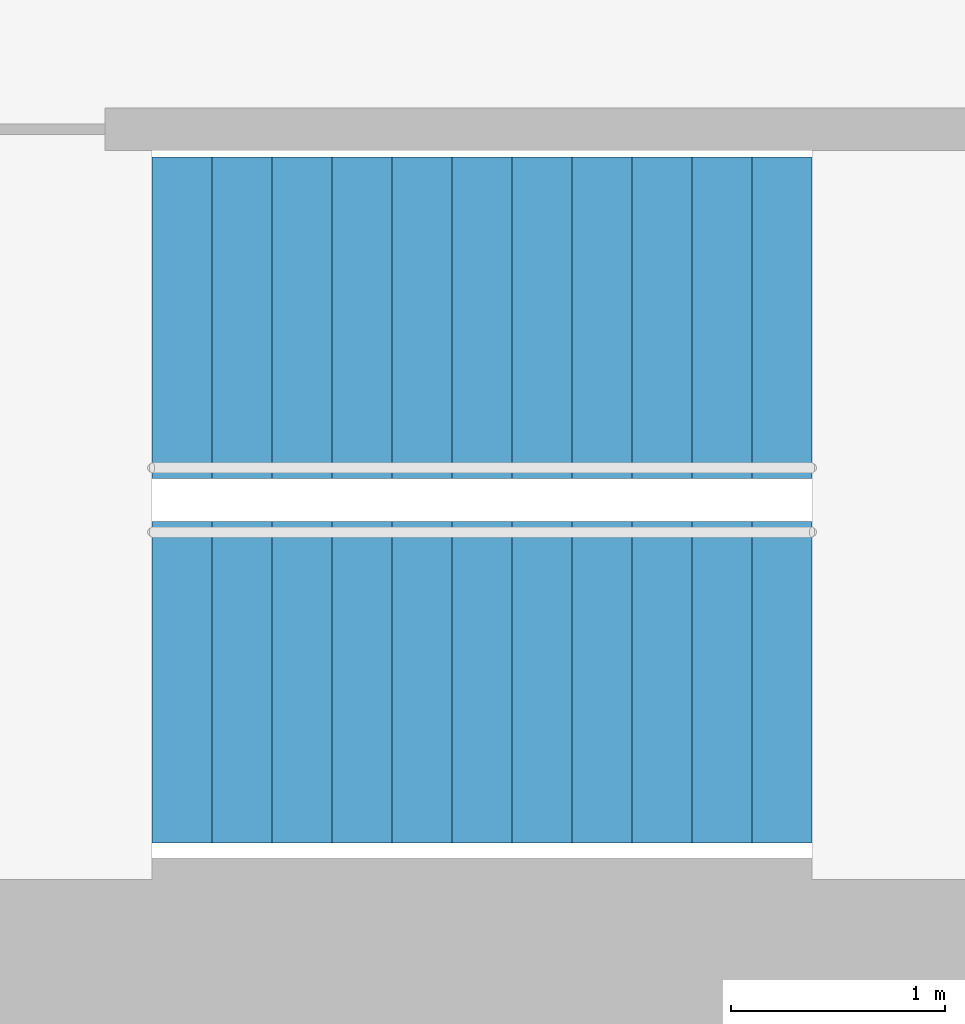
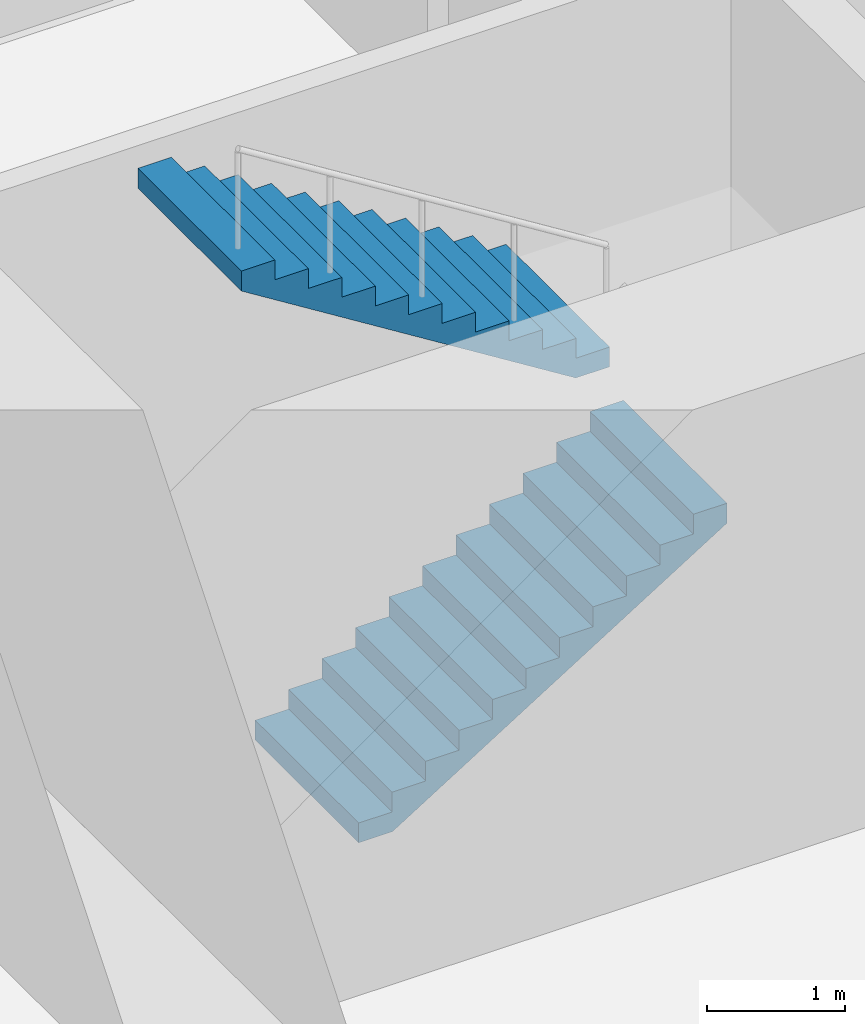
# One storey, part 16 of 18: 2 stair flights, 1 element without a shape of its own.
"""IFC4 building model written with IfcOpenShell, lengths in metres."""

from ifc_helpers import new_model, si_unit, direction, frame, origin, place, context, subcontext, project, spatial, triangles, material, type_object, element, aggregate, save


model = new_model("IFC4")

# Units and contexts
model_context = context("Model", 3, precision=1e-05, world=origin(), true_north=direction((0.0, 1.0)))
body_context = subcontext(model_context, "Body", "Model", "MODEL_VIEW")
ifc_project = project(units=[si_unit("LENGTHUNIT", "METRE"), si_unit("AREAUNIT", "SQUARE_METRE"), si_unit("VOLUMEUNIT", "CUBIC_METRE"), si_unit("PLANEANGLEUNIT", "RADIAN"), si_unit("MASSUNIT", "GRAM", prefix="KILO")], contexts=[model_context])

# Site, building, storey
site_placement = place(None, origin())
site = spatial("IfcSite", under=ifc_project, at=site_placement, CompositionType="ELEMENT")
building_placement = place(site_placement, origin())
building = spatial("IfcBuilding", under=site, at=building_placement, Name="Lantaw Convention Tower", CompositionType="ELEMENT")
storey_placement = place(building_placement, frame((0.0, 0.0, 180.39990234375)))
storey = spatial("IfcBuildingStorey", under=building, at=storey_placement, Name="L42", CompositionType="ELEMENT", Elevation=180.39990234375)

# Stair, stair flights
ifc_material = material(Name="Concrete C35/45", Category="concrete")
stair_type = type_object("IfcStairType", Name="Exit stair 1500 riser 175 in 2 flights", PredefinedType="HALF_TURN_STAIR", material=ifc_material)
stair_placement = place(storey_placement, origin())
stair = element("IfcStair", 1, at=stair_placement, inside=storey, type_object=stair_type, Name="Exit stair S1 L42", PredefinedType="HALF_TURN_STAIR")
stair_flight_type = type_object("IfcStairFlightType", Name="Stair flight 1500 riser 175", PredefinedType="STRAIGHT", material=ifc_material)
stair_flight_1_placement = place(storey_placement, frame((-10.580078125, -5.97998046875, 0.0), z_axis=(0.0, 0.0, 1.0), x_axis=(1.0, 0.0, 0.0)))
stair_flight_1 = element("IfcStairFlight", 2, at=stair_flight_1_placement, type_object=stair_flight_type, Name="S1 flight 1", NumberOfRisers=12, NumberOfTreads=11, PredefinedType="STRAIGHT", RiserHeight=0.175, TreadLength=0.28, context=body_context, shape_type="Tessellation", body=[
    triangles([(0.0, 0.75, 0.0), (0.0, 0.75, 0.175), (0.28, 0.75, 0.0), (0.28, 0.75, 0.175), (0.28, 0.75, 0.35), (0.28283517651771284, 0.75, 0.0), (0.28283517651771284, 0.75, 0.35), (0.56, 0.75, 0.17322801467642948), (0.56, 0.75, 0.35), (0.56, 0.75, 0.5249999999999999), (0.8400000000000001, 0.75, 0.34822801467642944), (0.8400000000000001, 0.75, 0.5249999999999999), (0.8400000000000001, 0.75, 0.7), (1.12, 0.75, 0.5232280146764294), (1.12, 0.75, 0.7), (1.12, 0.75, 0.875), (1.4000000000000001, 0.75, 0.6982280146764295), (1.4000000000000001, 0.75, 0.875), (1.4000000000000001, 0.75, 1.0499999999999998), (1.6800000000000002, 0.75, 0.8732280146764294), (1.6800000000000002, 0.75, 1.0499999999999998), (1.6800000000000002, 0.75, 1.2249999999999999), (1.9600000000000002, 0.75, 1.0482280146764293), (1.9600000000000002, 0.75, 1.2249999999999999), (1.9600000000000002, 0.75, 1.4), (2.24, 0.75, 1.2232280146764294), (2.24, 0.75, 1.4), (2.24, 0.75, 1.575), (2.5200000000000005, 0.75, 1.3982280146764294), (2.5200000000000005, 0.75, 1.575), (2.5200000000000005, 0.75, 1.75), (2.8000000000000003, 0.75, 1.5732280146764293), (2.8000000000000003, 0.75, 1.75), (2.8000000000000003, 0.75, 1.9249999999999998), (3.08, 0.75, 1.7482280146764293), (3.08, 0.75, 1.9249999999999998), (0.0, -0.75, 0.0), (0.0, -0.75, 0.175), (0.28, -0.75, 0.0), (0.28, -0.75, 0.175), (0.28, -0.75, 0.35), (0.28283517651771284, -0.75, 0.0), (0.28283517651771284, -0.75, 0.35), (0.56, -0.75, 0.17322801467642948), (0.56, -0.75, 0.35), (0.56, -0.75, 0.5249999999999999), (0.8400000000000001, -0.75, 0.34822801467642944), (0.8400000000000001, -0.75, 0.5249999999999999), (0.8400000000000001, -0.75, 0.7), (1.12, -0.75, 0.5232280146764294), (1.12, -0.75, 0.7), (1.12, -0.75, 0.875), (1.4000000000000001, -0.75, 0.6982280146764295), (1.4000000000000001, -0.75, 0.875), (1.4000000000000001, -0.75, 1.0499999999999998), (1.6800000000000002, -0.75, 0.8732280146764294), (1.6800000000000002, -0.75, 1.0499999999999998), (1.6800000000000002, -0.75, 1.2249999999999999), (1.9600000000000002, -0.75, 1.0482280146764293), (1.9600000000000002, -0.75, 1.2249999999999999), (1.9600000000000002, -0.75, 1.4), (2.24, -0.75, 1.2232280146764294), (2.24, -0.75, 1.4), (2.24, -0.75, 1.575), (2.5200000000000005, -0.75, 1.3982280146764294), (2.5200000000000005, -0.75, 1.575), (2.5200000000000005, -0.75, 1.75), (2.8000000000000003, -0.75, 1.5732280146764293), (2.8000000000000003, -0.75, 1.75), (2.8000000000000003, -0.75, 1.9249999999999998), (3.08, -0.75, 1.7482280146764293), (3.08, -0.75, 1.9249999999999998), (0.0, 0.15000000000000002, 0.175), (0.0, 0.15000000000000002, 0.0), (0.0, 0.0, 0.175), (0.0, 0.0, 0.0), (0.0, -0.15000000000000002, 0.175), (0.0, -0.15000000000000002, 0.0), (0.28, 0.15000000000000002, 0.35), (0.28, 0.15000000000000002, 0.175), (0.28, 0.0, 0.35), (0.28, 0.0, 0.175), (0.28, -0.15000000000000002, 0.35), (0.28, -0.15000000000000002, 0.175), (0.56, 0.15000000000000002, 0.5249999999999999), (0.56, 0.15000000000000002, 0.35), (0.56, 0.0, 0.5249999999999999), (0.56, 0.0, 0.35), (0.56, -0.15000000000000002, 0.5249999999999999), (0.56, -0.15000000000000002, 0.35), (0.8400000000000001, 0.15000000000000002, 0.7), (0.8400000000000001, 0.15000000000000002, 0.5249999999999999), (0.8400000000000001, 0.0, 0.7), (0.8400000000000001, 0.0, 0.5249999999999999), (0.8400000000000001, -0.15000000000000002, 0.7), (0.8400000000000001, -0.15000000000000002, 0.5249999999999999), (1.12, 0.15000000000000002, 0.875), (1.12, 0.15000000000000002, 0.7), (1.12, 0.0, 0.875), (1.12, 0.0, 0.7), (1.12, -0.15000000000000002, 0.875), (1.12, -0.15000000000000002, 0.7), (1.4000000000000001, 0.15000000000000002, 1.0499999999999998), (1.4000000000000001, 0.15000000000000002, 0.875), (1.4000000000000001, 0.0, 1.0499999999999998), (1.4000000000000001, 0.0, 0.875), (1.4000000000000001, -0.15000000000000002, 1.0499999999999998), (1.4000000000000001, -0.15000000000000002, 0.875), (1.6800000000000002, 0.15000000000000002, 1.2249999999999999), (1.6800000000000002, 0.15000000000000002, 1.0499999999999998), (1.6800000000000002, 0.0, 1.2249999999999999), (1.6800000000000002, 0.0, 1.0499999999999998), (1.6800000000000002, -0.15000000000000002, 1.2249999999999999), (1.6800000000000002, -0.15000000000000002, 1.0499999999999998), (1.9600000000000002, 0.15000000000000002, 1.4), (1.9600000000000002, 0.15000000000000002, 1.2249999999999999), (1.9600000000000002, 0.0, 1.4), (1.9600000000000002, 0.0, 1.2249999999999999), (1.9600000000000002, -0.15000000000000002, 1.4), (1.9600000000000002, -0.15000000000000002, 1.2249999999999999), (2.24, 0.15000000000000002, 1.575), (2.24, 0.15000000000000002, 1.4), (2.24, 0.0, 1.575), (2.24, 0.0, 1.4), (2.24, -0.15000000000000002, 1.575), (2.24, -0.15000000000000002, 1.4), (2.5200000000000005, 0.15000000000000002, 1.75), (2.5200000000000005, 0.15000000000000002, 1.575), (2.5200000000000005, 0.0, 1.75), (2.5200000000000005, 0.0, 1.575), (2.5200000000000005, -0.15000000000000002, 1.75), (2.5200000000000005, -0.15000000000000002, 1.575), (2.8000000000000003, 0.15000000000000002, 1.9249999999999998), (2.8000000000000003, 0.15000000000000002, 1.75), (2.8000000000000003, 0.0, 1.9249999999999998), (2.8000000000000003, 0.0, 1.75), (2.8000000000000003, -0.15000000000000002, 1.9249999999999998), (2.8000000000000003, -0.15000000000000002, 1.75), (0.28283517651771284, 0.15000000000000002, 0.35), (0.28283517651771284, 0.0, 0.35), (0.28283517651771284, -0.15000000000000002, 0.35), (3.08, 0.15000000000000002, 1.9249999999999998), (3.08, 0.0, 1.9249999999999998), (3.08, -0.15000000000000002, 1.9249999999999998), (3.08, 0.15000000000000002, 1.7482280146764293), (3.08, 0.0, 1.7482280146764293), (3.08, -0.15000000000000002, 1.7482280146764293), (2.8000000000000003, 0.15000000000000002, 1.5732280146764293), (2.8000000000000003, 0.0, 1.5732280146764293), (2.8000000000000003, -0.15000000000000002, 1.5732280146764293), (2.5200000000000005, 0.15000000000000002, 1.3982280146764294), (2.5200000000000005, 0.0, 1.3982280146764294), (2.5200000000000005, -0.15000000000000002, 1.3982280146764294), (2.24, 0.15000000000000002, 1.2232280146764294), (2.24, 0.0, 1.2232280146764294), (2.24, -0.15000000000000002, 1.2232280146764294), (1.9600000000000002, 0.15000000000000002, 1.0482280146764293), (1.9600000000000002, 0.0, 1.0482280146764293), (1.9600000000000002, -0.15000000000000002, 1.0482280146764293), (1.6800000000000002, 0.15000000000000002, 0.8732280146764294), (1.6800000000000002, 0.0, 0.8732280146764294), (1.6800000000000002, -0.15000000000000002, 0.8732280146764294), (1.4000000000000001, 0.15000000000000002, 0.6982280146764295), (1.4000000000000001, 0.0, 0.6982280146764295), (1.4000000000000001, -0.15000000000000002, 0.6982280146764295), (1.12, 0.15000000000000002, 0.5232280146764294), (1.12, 0.0, 0.5232280146764294), (1.12, -0.15000000000000002, 0.5232280146764294), (0.8400000000000001, 0.15000000000000002, 0.34822801467642944), (0.8400000000000001, 0.0, 0.34822801467642944), (0.8400000000000001, -0.15000000000000002, 0.34822801467642944), (0.56, 0.15000000000000002, 0.17322801467642948), (0.56, 0.0, 0.17322801467642948), (0.56, -0.15000000000000002, 0.17322801467642948), (0.28283517651771284, 0.15000000000000002, 0.0), (0.28283517651771284, 0.0, 0.0), (0.28283517651771284, -0.15000000000000002, 0.0), (0.28, 0.15000000000000002, 0.0), (0.28, 0.0, 0.0), (0.28, -0.15000000000000002, 0.0)], [[1, 4, 3], [1, 2, 4], [3, 4, 6], [4, 7, 6], [4, 5, 7], [6, 9, 8], [6, 7, 9], [8, 9, 11], [9, 12, 11], [9, 10, 12], [11, 12, 14], [12, 15, 14], [12, 13, 15], [14, 15, 17], [15, 18, 17], [15, 16, 18], [17, 18, 20], [18, 21, 20], [18, 19, 21], [20, 21, 23], [21, 24, 23], [21, 22, 24], [23, 24, 26], [24, 27, 26], [24, 25, 27], [26, 27, 29], [27, 30, 29], [27, 28, 30], [29, 30, 32], [30, 33, 32], [30, 31, 33], [32, 33, 35], [33, 36, 35], [33, 34, 36], [37, 39, 40], [37, 40, 38], [39, 42, 40], [40, 42, 43], [40, 43, 41], [42, 44, 45], [42, 45, 43], [44, 47, 45], [45, 47, 48], [45, 48, 46], [47, 50, 48], [48, 50, 51], [48, 51, 49], [50, 53, 51], [51, 53, 54], [51, 54, 52], [53, 56, 54], [54, 56, 57], [54, 57, 55], [56, 59, 57], [57, 59, 60], [57, 60, 58], [59, 62, 60], [60, 62, 63], [60, 63, 61], [62, 65, 63], [63, 65, 66], [63, 66, 64], [65, 68, 66], [66, 68, 69], [66, 69, 67], [68, 71, 69], [69, 71, 72], [69, 72, 70], [1, 73, 2], [1, 74, 73], [74, 75, 73], [74, 76, 75], [76, 77, 75], [76, 78, 77], [78, 38, 77], [78, 37, 38], [4, 79, 5], [4, 80, 79], [80, 81, 79], [80, 82, 81], [82, 83, 81], [82, 84, 83], [84, 41, 83], [84, 40, 41], [9, 85, 10], [9, 86, 85], [86, 87, 85], [86, 88, 87], [88, 89, 87], [88, 90, 89], [90, 46, 89], [90, 45, 46], [12, 91, 13], [12, 92, 91], [92, 93, 91], [92, 94, 93], [94, 95, 93], [94, 96, 95], [96, 49, 95], [96, 48, 49], [15, 97, 16], [15, 98, 97], [98, 99, 97], [98, 100, 99], [100, 101, 99], [100, 102, 101], [102, 52, 101], [102, 51, 52], [18, 103, 19], [18, 104, 103], [104, 105, 103], [104, 106, 105], [106, 107, 105], [106, 108, 107], [108, 55, 107], [108, 54, 55], [21, 109, 22], [21, 110, 109], [110, 111, 109], [110, 112, 111], [112, 113, 111], [112, 114, 113], [114, 58, 113], [114, 57, 58], [24, 115, 25], [24, 116, 115], [116, 117, 115], [116, 118, 117], [118, 119, 117], [118, 120, 119], [120, 61, 119], [120, 60, 61], [27, 121, 28], [27, 122, 121], [122, 123, 121], [122, 124, 123], [124, 125, 123], [124, 126, 125], [126, 64, 125], [126, 63, 64], [30, 127, 31], [30, 128, 127], [128, 129, 127], [128, 130, 129], [130, 131, 129], [130, 132, 131], [132, 67, 131], [132, 66, 67], [33, 133, 34], [33, 134, 133], [134, 135, 133], [134, 136, 135], [136, 137, 135], [136, 138, 137], [138, 70, 137], [138, 69, 70], [2, 80, 4], [2, 73, 80], [73, 82, 80], [73, 75, 82], [75, 84, 82], [75, 77, 84], [77, 40, 84], [77, 38, 40], [5, 139, 7], [5, 79, 139], [79, 140, 139], [79, 81, 140], [81, 141, 140], [81, 83, 141], [83, 43, 141], [83, 41, 43], [7, 86, 9], [7, 139, 86], [139, 88, 86], [139, 140, 88], [140, 90, 88], [140, 141, 90], [141, 45, 90], [141, 43, 45], [10, 92, 12], [10, 85, 92], [85, 94, 92], [85, 87, 94], [87, 96, 94], [87, 89, 96], [89, 48, 96], [89, 46, 48], [13, 98, 15], [13, 91, 98], [91, 100, 98], [91, 93, 100], [93, 102, 100], [93, 95, 102], [95, 51, 102], [95, 49, 51], [16, 104, 18], [16, 97, 104], [97, 106, 104], [97, 99, 106], [99, 108, 106], [99, 101, 108], [101, 54, 108], [101, 52, 54], [19, 110, 21], [19, 103, 110], [103, 112, 110], [103, 105, 112], [105, 114, 112], [105, 107, 114], [107, 57, 114], [107, 55, 57], [22, 116, 24], [22, 109, 116], [109, 118, 116], [109, 111, 118], [111, 120, 118], [111, 113, 120], [113, 60, 120], [113, 58, 60], [25, 122, 27], [25, 115, 122], [115, 124, 122], [115, 117, 124], [117, 126, 124], [117, 119, 126], [119, 63, 126], [119, 61, 63], [28, 128, 30], [28, 121, 128], [121, 130, 128], [121, 123, 130], [123, 132, 130], [123, 125, 132], [125, 66, 132], [125, 64, 66], [31, 134, 33], [31, 127, 134], [127, 136, 134], [127, 129, 136], [129, 138, 136], [129, 131, 138], [131, 69, 138], [131, 67, 69], [34, 142, 36], [34, 133, 142], [133, 143, 142], [133, 135, 143], [135, 144, 143], [135, 137, 144], [137, 72, 144], [137, 70, 72], [36, 145, 35], [36, 142, 145], [142, 146, 145], [142, 143, 146], [143, 147, 146], [143, 144, 147], [144, 71, 147], [144, 72, 71], [35, 148, 32], [35, 145, 148], [145, 149, 148], [145, 146, 149], [146, 150, 149], [146, 147, 150], [147, 68, 150], [147, 71, 68], [32, 151, 29], [32, 148, 151], [148, 152, 151], [148, 149, 152], [149, 153, 152], [149, 150, 153], [150, 65, 153], [150, 68, 65], [29, 154, 26], [29, 151, 154], [151, 155, 154], [151, 152, 155], [152, 156, 155], [152, 153, 156], [153, 62, 156], [153, 65, 62], [26, 157, 23], [26, 154, 157], [154, 158, 157], [154, 155, 158], [155, 159, 158], [155, 156, 159], [156, 59, 159], [156, 62, 59], [23, 160, 20], [23, 157, 160], [157, 161, 160], [157, 158, 161], [158, 162, 161], [158, 159, 162], [159, 56, 162], [159, 59, 56], [20, 163, 17], [20, 160, 163], [160, 164, 163], [160, 161, 164], [161, 165, 164], [161, 162, 165], [162, 53, 165], [162, 56, 53], [17, 166, 14], [17, 163, 166], [163, 167, 166], [163, 164, 167], [164, 168, 167], [164, 165, 168], [165, 50, 168], [165, 53, 50], [14, 169, 11], [14, 166, 169], [166, 170, 169], [166, 167, 170], [167, 171, 170], [167, 168, 171], [168, 47, 171], [168, 50, 47], [11, 172, 8], [11, 169, 172], [169, 173, 172], [169, 170, 173], [170, 174, 173], [170, 171, 174], [171, 44, 174], [171, 47, 44], [8, 175, 6], [8, 172, 175], [172, 176, 175], [172, 173, 176], [173, 177, 176], [173, 174, 177], [174, 42, 177], [174, 44, 42], [6, 178, 3], [6, 175, 178], [175, 179, 178], [175, 176, 179], [176, 180, 179], [176, 177, 180], [177, 39, 180], [177, 42, 39], [3, 74, 1], [3, 178, 74], [178, 76, 74], [178, 179, 76], [179, 78, 76], [179, 180, 78], [180, 37, 78], [180, 39, 37]], closed=True),
])
stair_flight_2_placement = place(storey_placement, frame((-7.5, -4.280029296875, 2.10009765625), z_axis=(0.0, 0.0, 1.0), x_axis=(-1.0, 0.0, 0.0)))
stair_flight_2 = element("IfcStairFlight", 3, at=stair_flight_2_placement, type_object=stair_flight_type, Name="S1 flight 2", NumberOfRisers=12, NumberOfTreads=11, PredefinedType="STRAIGHT", RiserHeight=0.175, TreadLength=0.28, context=body_context, shape_type="Tessellation", body=[
    triangles([(0.0, 0.75, 0.0), (0.0, 0.75, 0.175), (0.28, 0.75, 0.0), (0.28, 0.75, 0.175), (0.28, 0.75, 0.35), (0.28283517651771284, 0.75, 0.0), (0.28283517651771284, 0.75, 0.35), (0.56, 0.75, 0.17322801467642948), (0.56, 0.75, 0.35), (0.56, 0.75, 0.5249999999999999), (0.8400000000000001, 0.75, 0.34822801467642944), (0.8400000000000001, 0.75, 0.5249999999999999), (0.8400000000000001, 0.75, 0.7), (1.12, 0.75, 0.5232280146764294), (1.12, 0.75, 0.7), (1.12, 0.75, 0.875), (1.4000000000000001, 0.75, 0.6982280146764295), (1.4000000000000001, 0.75, 0.875), (1.4000000000000001, 0.75, 1.0499999999999998), (1.6800000000000002, 0.75, 0.8732280146764294), (1.6800000000000002, 0.75, 1.0499999999999998), (1.6800000000000002, 0.75, 1.2249999999999999), (1.9600000000000002, 0.75, 1.0482280146764293), (1.9600000000000002, 0.75, 1.2249999999999999), (1.9600000000000002, 0.75, 1.4), (2.24, 0.75, 1.2232280146764294), (2.24, 0.75, 1.4), (2.24, 0.75, 1.575), (2.5200000000000005, 0.75, 1.3982280146764294), (2.5200000000000005, 0.75, 1.575), (2.5200000000000005, 0.75, 1.75), (2.8000000000000003, 0.75, 1.5732280146764293), (2.8000000000000003, 0.75, 1.75), (2.8000000000000003, 0.75, 1.9249999999999998), (3.08, 0.75, 1.7482280146764293), (3.08, 0.75, 1.9249999999999998), (0.0, -0.75, 0.0), (0.0, -0.75, 0.175), (0.28, -0.75, 0.0), (0.28, -0.75, 0.175), (0.28, -0.75, 0.35), (0.28283517651771284, -0.75, 0.0), (0.28283517651771284, -0.75, 0.35), (0.56, -0.75, 0.17322801467642948), (0.56, -0.75, 0.35), (0.56, -0.75, 0.5249999999999999), (0.8400000000000001, -0.75, 0.34822801467642944), (0.8400000000000001, -0.75, 0.5249999999999999), (0.8400000000000001, -0.75, 0.7), (1.12, -0.75, 0.5232280146764294), (1.12, -0.75, 0.7), (1.12, -0.75, 0.875), (1.4000000000000001, -0.75, 0.6982280146764295), (1.4000000000000001, -0.75, 0.875), (1.4000000000000001, -0.75, 1.0499999999999998), (1.6800000000000002, -0.75, 0.8732280146764294), (1.6800000000000002, -0.75, 1.0499999999999998), (1.6800000000000002, -0.75, 1.2249999999999999), (1.9600000000000002, -0.75, 1.0482280146764293), (1.9600000000000002, -0.75, 1.2249999999999999), (1.9600000000000002, -0.75, 1.4), (2.24, -0.75, 1.2232280146764294), (2.24, -0.75, 1.4), (2.24, -0.75, 1.575), (2.5200000000000005, -0.75, 1.3982280146764294), (2.5200000000000005, -0.75, 1.575), (2.5200000000000005, -0.75, 1.75), (2.8000000000000003, -0.75, 1.5732280146764293), (2.8000000000000003, -0.75, 1.75), (2.8000000000000003, -0.75, 1.9249999999999998), (3.08, -0.75, 1.7482280146764293), (3.08, -0.75, 1.9249999999999998), (0.0, 0.15000000000000002, 0.175), (0.0, 0.15000000000000002, 0.0), (0.0, 0.0, 0.175), (0.0, 0.0, 0.0), (0.0, -0.15000000000000002, 0.175), (0.0, -0.15000000000000002, 0.0), (0.28, 0.15000000000000002, 0.35), (0.28, 0.15000000000000002, 0.175), (0.28, 0.0, 0.35), (0.28, 0.0, 0.175), (0.28, -0.15000000000000002, 0.35), (0.28, -0.15000000000000002, 0.175), (0.56, 0.15000000000000002, 0.5249999999999999), (0.56, 0.15000000000000002, 0.35), (0.56, 0.0, 0.5249999999999999), (0.56, 0.0, 0.35), (0.56, -0.15000000000000002, 0.5249999999999999), (0.56, -0.15000000000000002, 0.35), (0.8400000000000001, 0.15000000000000002, 0.7), (0.8400000000000001, 0.15000000000000002, 0.5249999999999999), (0.8400000000000001, 0.0, 0.7), (0.8400000000000001, 0.0, 0.5249999999999999), (0.8400000000000001, -0.15000000000000002, 0.7), (0.8400000000000001, -0.15000000000000002, 0.5249999999999999), (1.12, 0.15000000000000002, 0.875), (1.12, 0.15000000000000002, 0.7), (1.12, 0.0, 0.875), (1.12, 0.0, 0.7), (1.12, -0.15000000000000002, 0.875), (1.12, -0.15000000000000002, 0.7), (1.4000000000000001, 0.15000000000000002, 1.0499999999999998), (1.4000000000000001, 0.15000000000000002, 0.875), (1.4000000000000001, 0.0, 1.0499999999999998), (1.4000000000000001, 0.0, 0.875), (1.4000000000000001, -0.15000000000000002, 1.0499999999999998), (1.4000000000000001, -0.15000000000000002, 0.875), (1.6800000000000002, 0.15000000000000002, 1.2249999999999999), (1.6800000000000002, 0.15000000000000002, 1.0499999999999998), (1.6800000000000002, 0.0, 1.2249999999999999), (1.6800000000000002, 0.0, 1.0499999999999998), (1.6800000000000002, -0.15000000000000002, 1.2249999999999999), (1.6800000000000002, -0.15000000000000002, 1.0499999999999998), (1.9600000000000002, 0.15000000000000002, 1.4), (1.9600000000000002, 0.15000000000000002, 1.2249999999999999), (1.9600000000000002, 0.0, 1.4), (1.9600000000000002, 0.0, 1.2249999999999999), (1.9600000000000002, -0.15000000000000002, 1.4), (1.9600000000000002, -0.15000000000000002, 1.2249999999999999), (2.24, 0.15000000000000002, 1.575), (2.24, 0.15000000000000002, 1.4), (2.24, 0.0, 1.575), (2.24, 0.0, 1.4), (2.24, -0.15000000000000002, 1.575), (2.24, -0.15000000000000002, 1.4), (2.5200000000000005, 0.15000000000000002, 1.75), (2.5200000000000005, 0.15000000000000002, 1.575), (2.5200000000000005, 0.0, 1.75), (2.5200000000000005, 0.0, 1.575), (2.5200000000000005, -0.15000000000000002, 1.75), (2.5200000000000005, -0.15000000000000002, 1.575), (2.8000000000000003, 0.15000000000000002, 1.9249999999999998), (2.8000000000000003, 0.15000000000000002, 1.75), (2.8000000000000003, 0.0, 1.9249999999999998), (2.8000000000000003, 0.0, 1.75), (2.8000000000000003, -0.15000000000000002, 1.9249999999999998), (2.8000000000000003, -0.15000000000000002, 1.75), (0.28283517651771284, 0.15000000000000002, 0.35), (0.28283517651771284, 0.0, 0.35), (0.28283517651771284, -0.15000000000000002, 0.35), (3.08, 0.15000000000000002, 1.9249999999999998), (3.08, 0.0, 1.9249999999999998), (3.08, -0.15000000000000002, 1.9249999999999998), (3.08, 0.15000000000000002, 1.7482280146764293), (3.08, 0.0, 1.7482280146764293), (3.08, -0.15000000000000002, 1.7482280146764293), (2.8000000000000003, 0.15000000000000002, 1.5732280146764293), (2.8000000000000003, 0.0, 1.5732280146764293), (2.8000000000000003, -0.15000000000000002, 1.5732280146764293), (2.5200000000000005, 0.15000000000000002, 1.3982280146764294), (2.5200000000000005, 0.0, 1.3982280146764294), (2.5200000000000005, -0.15000000000000002, 1.3982280146764294), (2.24, 0.15000000000000002, 1.2232280146764294), (2.24, 0.0, 1.2232280146764294), (2.24, -0.15000000000000002, 1.2232280146764294), (1.9600000000000002, 0.15000000000000002, 1.0482280146764293), (1.9600000000000002, 0.0, 1.0482280146764293), (1.9600000000000002, -0.15000000000000002, 1.0482280146764293), (1.6800000000000002, 0.15000000000000002, 0.8732280146764294), (1.6800000000000002, 0.0, 0.8732280146764294), (1.6800000000000002, -0.15000000000000002, 0.8732280146764294), (1.4000000000000001, 0.15000000000000002, 0.6982280146764295), (1.4000000000000001, 0.0, 0.6982280146764295), (1.4000000000000001, -0.15000000000000002, 0.6982280146764295), (1.12, 0.15000000000000002, 0.5232280146764294), (1.12, 0.0, 0.5232280146764294), (1.12, -0.15000000000000002, 0.5232280146764294), (0.8400000000000001, 0.15000000000000002, 0.34822801467642944), (0.8400000000000001, 0.0, 0.34822801467642944), (0.8400000000000001, -0.15000000000000002, 0.34822801467642944), (0.56, 0.15000000000000002, 0.17322801467642948), (0.56, 0.0, 0.17322801467642948), (0.56, -0.15000000000000002, 0.17322801467642948), (0.28283517651771284, 0.15000000000000002, 0.0), (0.28283517651771284, 0.0, 0.0), (0.28283517651771284, -0.15000000000000002, 0.0), (0.28, 0.15000000000000002, 0.0), (0.28, 0.0, 0.0), (0.28, -0.15000000000000002, 0.0)], [[1, 4, 3], [1, 2, 4], [3, 4, 6], [4, 7, 6], [4, 5, 7], [6, 9, 8], [6, 7, 9], [8, 9, 11], [9, 12, 11], [9, 10, 12], [11, 12, 14], [12, 15, 14], [12, 13, 15], [14, 15, 17], [15, 18, 17], [15, 16, 18], [17, 18, 20], [18, 21, 20], [18, 19, 21], [20, 21, 23], [21, 24, 23], [21, 22, 24], [23, 24, 26], [24, 27, 26], [24, 25, 27], [26, 27, 29], [27, 30, 29], [27, 28, 30], [29, 30, 32], [30, 33, 32], [30, 31, 33], [32, 33, 35], [33, 36, 35], [33, 34, 36], [37, 39, 40], [37, 40, 38], [39, 42, 40], [40, 42, 43], [40, 43, 41], [42, 44, 45], [42, 45, 43], [44, 47, 45], [45, 47, 48], [45, 48, 46], [47, 50, 48], [48, 50, 51], [48, 51, 49], [50, 53, 51], [51, 53, 54], [51, 54, 52], [53, 56, 54], [54, 56, 57], [54, 57, 55], [56, 59, 57], [57, 59, 60], [57, 60, 58], [59, 62, 60], [60, 62, 63], [60, 63, 61], [62, 65, 63], [63, 65, 66], [63, 66, 64], [65, 68, 66], [66, 68, 69], [66, 69, 67], [68, 71, 69], [69, 71, 72], [69, 72, 70], [1, 73, 2], [1, 74, 73], [74, 75, 73], [74, 76, 75], [76, 77, 75], [76, 78, 77], [78, 38, 77], [78, 37, 38], [4, 79, 5], [4, 80, 79], [80, 81, 79], [80, 82, 81], [82, 83, 81], [82, 84, 83], [84, 41, 83], [84, 40, 41], [9, 85, 10], [9, 86, 85], [86, 87, 85], [86, 88, 87], [88, 89, 87], [88, 90, 89], [90, 46, 89], [90, 45, 46], [12, 91, 13], [12, 92, 91], [92, 93, 91], [92, 94, 93], [94, 95, 93], [94, 96, 95], [96, 49, 95], [96, 48, 49], [15, 97, 16], [15, 98, 97], [98, 99, 97], [98, 100, 99], [100, 101, 99], [100, 102, 101], [102, 52, 101], [102, 51, 52], [18, 103, 19], [18, 104, 103], [104, 105, 103], [104, 106, 105], [106, 107, 105], [106, 108, 107], [108, 55, 107], [108, 54, 55], [21, 109, 22], [21, 110, 109], [110, 111, 109], [110, 112, 111], [112, 113, 111], [112, 114, 113], [114, 58, 113], [114, 57, 58], [24, 115, 25], [24, 116, 115], [116, 117, 115], [116, 118, 117], [118, 119, 117], [118, 120, 119], [120, 61, 119], [120, 60, 61], [27, 121, 28], [27, 122, 121], [122, 123, 121], [122, 124, 123], [124, 125, 123], [124, 126, 125], [126, 64, 125], [126, 63, 64], [30, 127, 31], [30, 128, 127], [128, 129, 127], [128, 130, 129], [130, 131, 129], [130, 132, 131], [132, 67, 131], [132, 66, 67], [33, 133, 34], [33, 134, 133], [134, 135, 133], [134, 136, 135], [136, 137, 135], [136, 138, 137], [138, 70, 137], [138, 69, 70], [2, 80, 4], [2, 73, 80], [73, 82, 80], [73, 75, 82], [75, 84, 82], [75, 77, 84], [77, 40, 84], [77, 38, 40], [5, 139, 7], [5, 79, 139], [79, 140, 139], [79, 81, 140], [81, 141, 140], [81, 83, 141], [83, 43, 141], [83, 41, 43], [7, 86, 9], [7, 139, 86], [139, 88, 86], [139, 140, 88], [140, 90, 88], [140, 141, 90], [141, 45, 90], [141, 43, 45], [10, 92, 12], [10, 85, 92], [85, 94, 92], [85, 87, 94], [87, 96, 94], [87, 89, 96], [89, 48, 96], [89, 46, 48], [13, 98, 15], [13, 91, 98], [91, 100, 98], [91, 93, 100], [93, 102, 100], [93, 95, 102], [95, 51, 102], [95, 49, 51], [16, 104, 18], [16, 97, 104], [97, 106, 104], [97, 99, 106], [99, 108, 106], [99, 101, 108], [101, 54, 108], [101, 52, 54], [19, 110, 21], [19, 103, 110], [103, 112, 110], [103, 105, 112], [105, 114, 112], [105, 107, 114], [107, 57, 114], [107, 55, 57], [22, 116, 24], [22, 109, 116], [109, 118, 116], [109, 111, 118], [111, 120, 118], [111, 113, 120], [113, 60, 120], [113, 58, 60], [25, 122, 27], [25, 115, 122], [115, 124, 122], [115, 117, 124], [117, 126, 124], [117, 119, 126], [119, 63, 126], [119, 61, 63], [28, 128, 30], [28, 121, 128], [121, 130, 128], [121, 123, 130], [123, 132, 130], [123, 125, 132], [125, 66, 132], [125, 64, 66], [31, 134, 33], [31, 127, 134], [127, 136, 134], [127, 129, 136], [129, 138, 136], [129, 131, 138], [131, 69, 138], [131, 67, 69], [34, 142, 36], [34, 133, 142], [133, 143, 142], [133, 135, 143], [135, 144, 143], [135, 137, 144], [137, 72, 144], [137, 70, 72], [36, 145, 35], [36, 142, 145], [142, 146, 145], [142, 143, 146], [143, 147, 146], [143, 144, 147], [144, 71, 147], [144, 72, 71], [35, 148, 32], [35, 145, 148], [145, 149, 148], [145, 146, 149], [146, 150, 149], [146, 147, 150], [147, 68, 150], [147, 71, 68], [32, 151, 29], [32, 148, 151], [148, 152, 151], [148, 149, 152], [149, 153, 152], [149, 150, 153], [150, 65, 153], [150, 68, 65], [29, 154, 26], [29, 151, 154], [151, 155, 154], [151, 152, 155], [152, 156, 155], [152, 153, 156], [153, 62, 156], [153, 65, 62], [26, 157, 23], [26, 154, 157], [154, 158, 157], [154, 155, 158], [155, 159, 158], [155, 156, 159], [156, 59, 159], [156, 62, 59], [23, 160, 20], [23, 157, 160], [157, 161, 160], [157, 158, 161], [158, 162, 161], [158, 159, 162], [159, 56, 162], [159, 59, 56], [20, 163, 17], [20, 160, 163], [160, 164, 163], [160, 161, 164], [161, 165, 164], [161, 162, 165], [162, 53, 165], [162, 56, 53], [17, 166, 14], [17, 163, 166], [163, 167, 166], [163, 164, 167], [164, 168, 167], [164, 165, 168], [165, 50, 168], [165, 53, 50], [14, 169, 11], [14, 166, 169], [166, 170, 169], [166, 167, 170], [167, 171, 170], [167, 168, 171], [168, 47, 171], [168, 50, 47], [11, 172, 8], [11, 169, 172], [169, 173, 172], [169, 170, 173], [170, 174, 173], [170, 171, 174], [171, 44, 174], [171, 47, 44], [8, 175, 6], [8, 172, 175], [172, 176, 175], [172, 173, 176], [173, 177, 176], [173, 174, 177], [174, 42, 177], [174, 44, 42], [6, 178, 3], [6, 175, 178], [175, 179, 178], [175, 176, 179], [176, 180, 179], [176, 177, 180], [177, 39, 180], [177, 42, 39], [3, 74, 1], [3, 178, 74], [178, 76, 74], [178, 179, 76], [179, 78, 76], [179, 180, 78], [180, 37, 78], [180, 39, 37]], closed=True),
])
aggregate(stair, [stair_flight_1, stair_flight_2])

save(model, "model.ifc")
